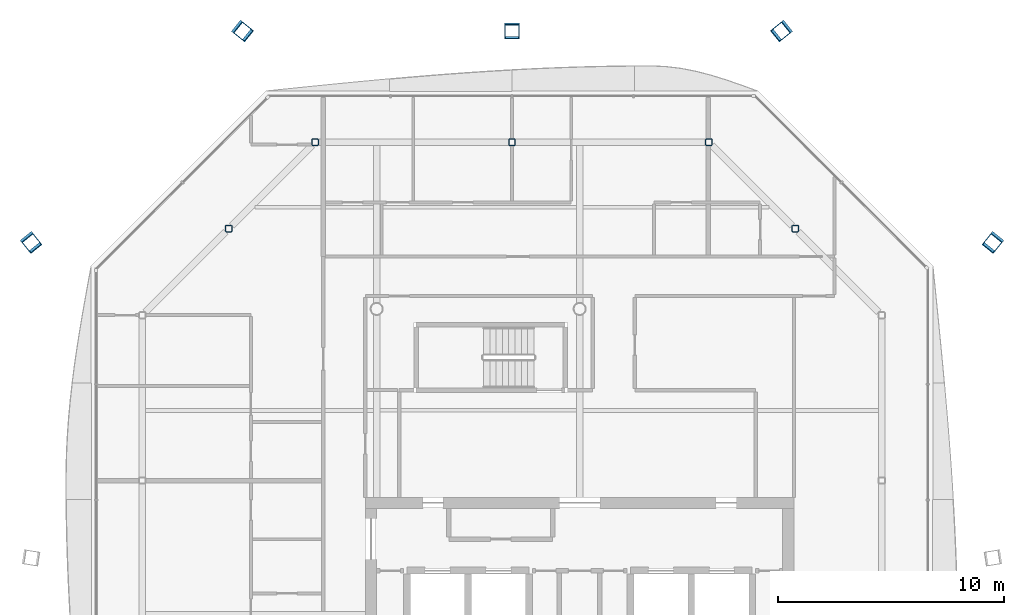
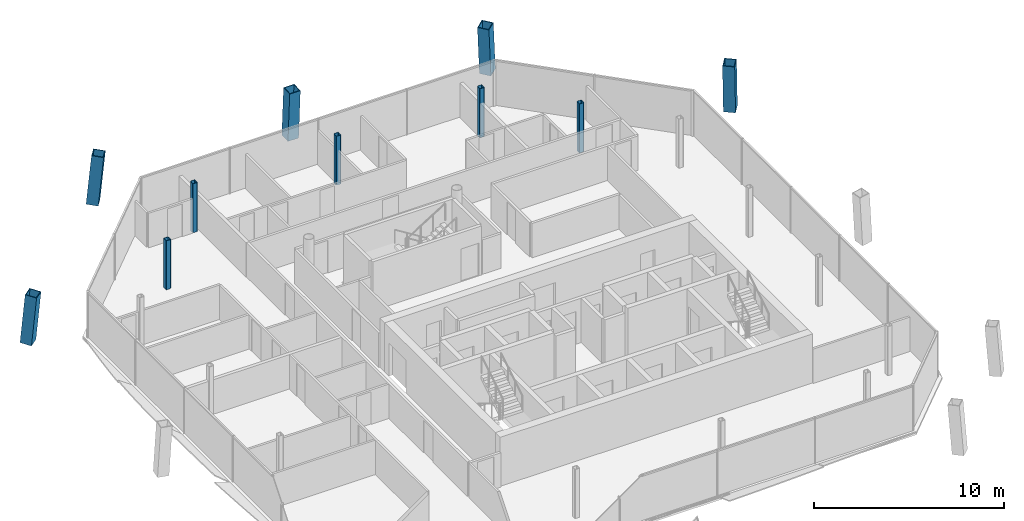
# One storey, part 3 of 17: 10 columns.
"""IFC4 building model written with IfcOpenShell, lengths in metres."""

from ifc_helpers import new_model, si_unit, direction, frame, origin, origin_2d, place, context, subcontext, project, spatial, hollow_rectangle, extrude, material, material_profile, profile_set, type_object, element, save


model = new_model("IFC4")

# Units and contexts
model_context = context("Model", 3, precision=1e-05, world=origin(), true_north=direction((0.0, 1.0)))
body_context = subcontext(model_context, "Body", "Model", "MODEL_VIEW")
ifc_project = project(units=[si_unit("LENGTHUNIT", "METRE"), si_unit("AREAUNIT", "SQUARE_METRE"), si_unit("VOLUMEUNIT", "CUBIC_METRE"), si_unit("PLANEANGLEUNIT", "RADIAN"), si_unit("MASSUNIT", "GRAM", prefix="KILO")], contexts=[model_context])

# Site, building, storey
site_placement = place(None, origin())
site = spatial("IfcSite", under=ifc_project, at=site_placement, CompositionType="ELEMENT")
building_placement = place(site_placement, origin())
building = spatial("IfcBuilding", under=site, at=building_placement, Name="Tskaro Facet Tower", CompositionType="ELEMENT")
storey_placement = place(building_placement, frame((0.0, 0.0, 229.800048828125)))
storey = spatial("IfcBuildingStorey", under=building, at=storey_placement, Name="L59", CompositionType="ELEMENT", Elevation=229.800048828125)

# Columns
ifc_material_1 = material(Name="Steel S355J2", Category="steel")
ifc_material_profile_1 = material_profile(ifc_material_1, hollow_rectangle(XDim=0.64990234375, YDim=0.64990234375, WallThickness=0.0400390625, at=origin_2d()), Name="BOX 650x650x40")
ifc_profile_set_1 = profile_set([ifc_material_profile_1], Name="Steel S355J2")
column_type_1 = type_object("IfcColumnType", Name="BOX 650x650x40 mega column", PredefinedType="COLUMN", material=ifc_profile_set_1)
for number, where, z_axis, x_axis, name in (
    (1, (18.35400390625, 11.988037109375, 0.0), (-0.05749954626, -0.07146923468, 0.995784088382), (0.779141980058, -0.626847489356, 0.0), "BOX 650x650x40 MC06/5"),
    (2, (8.988037109375, 21.35400390625, 0.0), (-0.07146923468, -0.05749954626, 0.995784088382), (0.626847489356, -0.779141980058, 0.0), "BOX 650x650x40 MC07/5"),
):
    element("IfcColumn", number, at=place(storey_placement, frame(where, z_axis=z_axis, x_axis=x_axis)), inside=storey, type_object=column_type_1, Name=name, PredefinedType="COLUMN", context=body_context, shape_type="SweptSolid", body=[
        extrude(hollow_rectangle(XDim=0.64990234375, YDim=0.64990234375, WallThickness=0.0400390625, at=origin_2d()), origin(), (0.0, 0.0, 1.0), 3.163330078125),
    ])
column_placement = place(storey_placement, frame((-3.0, 21.35400390625, 0.0), z_axis=(0.0, -0.057646960801, 0.998337031223), x_axis=(1.0, 0.0, 0.0)))
element("IfcColumn", 3, at=column_placement, inside=storey, type_object=column_type_1, Name="BOX 650x650x40 MC08/5", PredefinedType="COLUMN", context=body_context, shape_type="SweptSolid", body=[
    extrude(hollow_rectangle(XDim=0.64990234375, YDim=0.64990234375, WallThickness=0.0400390625, at=origin_2d()), origin(), (0.0, 0.0, 1.0), 3.155029296875),
])
for number, where, z_axis, x_axis, name in (
    (4, (-14.988037109375, 21.35400390625, 0.0), (0.07146923468, -0.05749954626, 0.995784088382), (0.626847489356, 0.779141980058, 0.0), "BOX 650x650x40 MC09/5"),
    (5, (-24.35400390625, 11.988037109375, 0.0), (0.05749954626, -0.07146923468, 0.995784088382), (0.779141980058, 0.626847489356, 0.0), "BOX 650x650x40 MC10/5"),
):
    element("IfcColumn", number, at=place(storey_placement, frame(where, z_axis=z_axis, x_axis=x_axis)), inside=storey, type_object=column_type_1, Name=name, PredefinedType="COLUMN", context=body_context, shape_type="SweptSolid", body=[
        extrude(hollow_rectangle(XDim=0.64990234375, YDim=0.64990234375, WallThickness=0.0400390625, at=origin_2d()), origin(), (0.0, 0.0, 1.0), 3.163330078125),
    ])
ifc_material_2 = material(Name="Steel S355J2H", Category="steel")
ifc_material_profile_2 = material_profile(ifc_material_2, hollow_rectangle(XDim=0.300048828125, YDim=0.300048828125, WallThickness=0.02001953125, InnerFilletRadius=0.030029296875, OuterFilletRadius=0.050048828125, at=origin_2d()), Name="SHS 300x300x20")
ifc_profile_set_2 = profile_set([ifc_material_profile_2], Name="Steel S355J2H")
column_type_2 = type_object("IfcColumnType", Name="SHS 300x300x20 ring column", PredefinedType="COLUMN", material=ifc_profile_set_2)
for number, where, z_axis, x_axis, name in (
    (6, (9.55810546875, 12.55810546875, 0.0), (0.0, 0.0, 1.0), (1.0, 0.0, 0.0), "SHS 300x300x20 RNE-2/5"),
    (7, (5.72509765625, 16.39111328125, 0.0), (0.0, 0.0, 1.0), (1.0, 0.0, 0.0), "SHS 300x300x20 RN-1/5"),
    (8, (-3.0, 16.39111328125, 0.0), (0.0, 0.0, 1.0), (1.0, 0.0, 0.0), "SHS 300x300x20 RN-2/5"),
    (9, (-11.72509765625, 16.39111328125, 0.0), (0.0, 0.0, 1.0), (1.0, 0.0, 0.0), "SHS 300x300x20 RNW-1/5"),
    (10, (-15.55810546875, 12.55810546875, 0.0), (0.0, 0.0, 1.0), (1.0, 0.0, 0.0), "SHS 300x300x20 RNW-2/5"),
):
    element("IfcColumn", number, at=place(storey_placement, frame(where, z_axis=z_axis, x_axis=x_axis)), inside=storey, type_object=column_type_2, Name=name, PredefinedType="COLUMN", context=body_context, shape_type="SweptSolid", body=[
        extrude(hollow_rectangle(XDim=0.300048828125, YDim=0.300048828125, WallThickness=0.02001953125, InnerFilletRadius=0.030029296875, OuterFilletRadius=0.050048828125, at=origin_2d()), origin(), (0.0, 0.0, 1.0), 3.14990234375),
    ])

save(model, "model.ifc")
